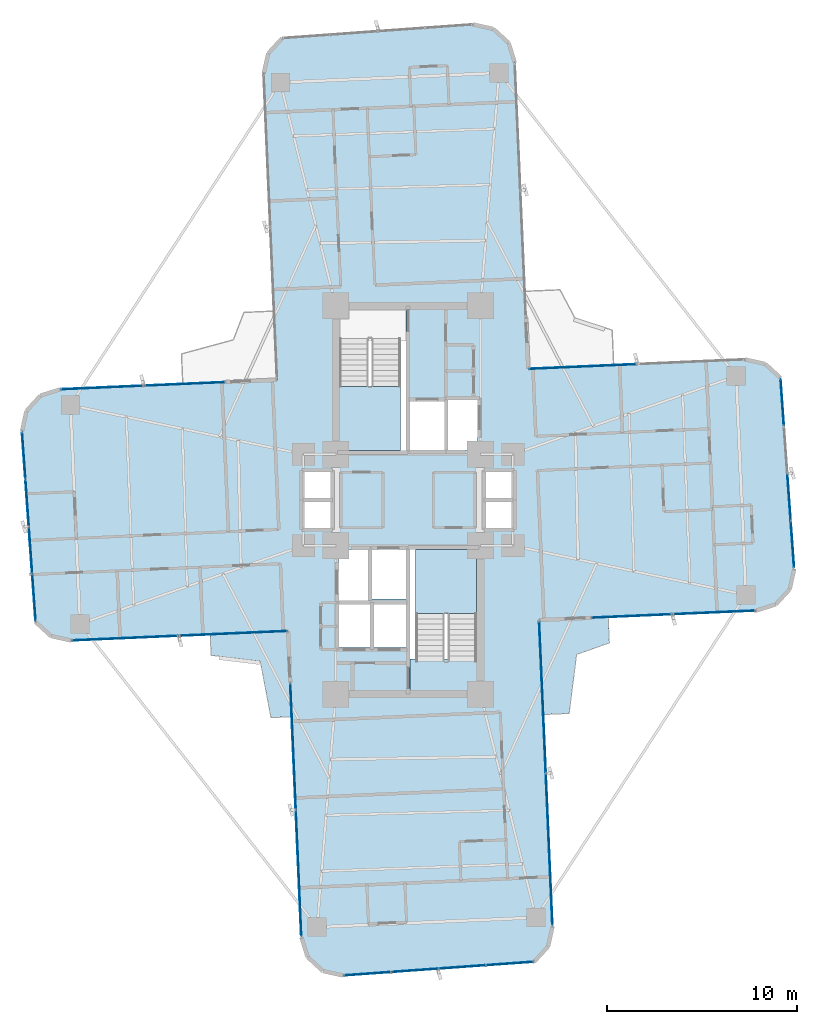
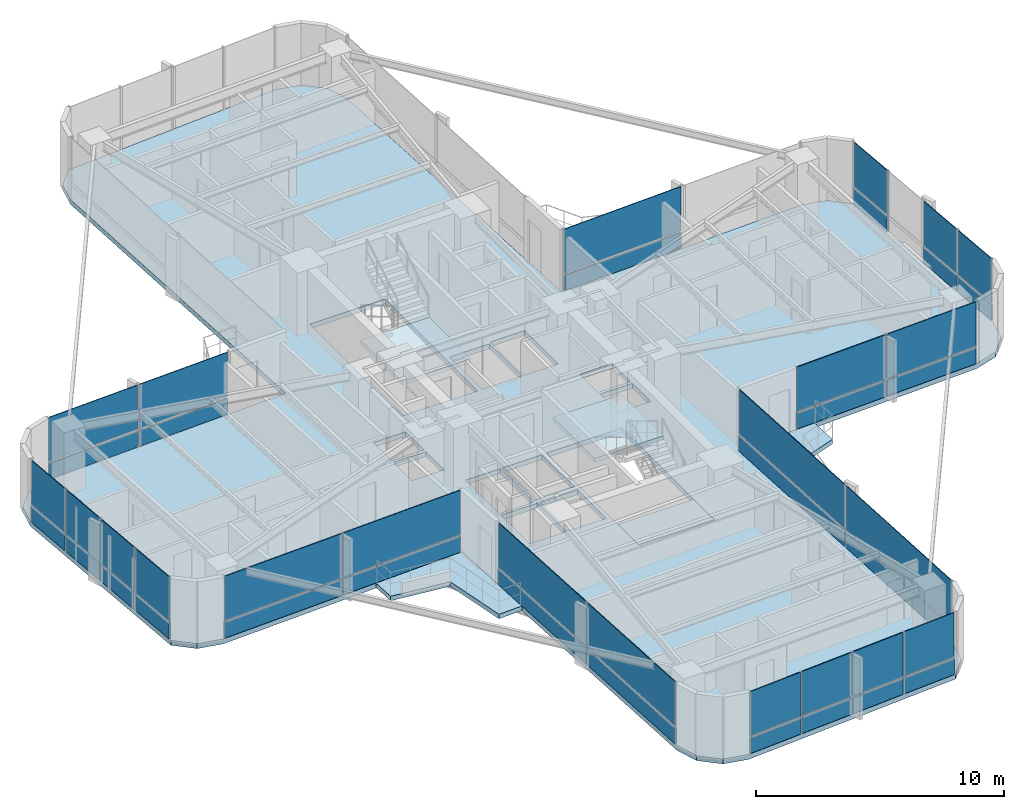
# One storey, part 21 of 27: 44 plates, 6 slabs, 11 elements without a shape of their own.
"""IFC4 building model written with IfcOpenShell, lengths in metres."""

from ifc_helpers import new_model, si_unit, direction, frame, origin, origin_2d, place, context, subcontext, project, spatial, polyline, rectangle, outline, extrude, source, transform, mapped, material, layer, layer_set, type_object, element, aggregate, save


model = new_model("IFC4")

# Units and contexts
model_context = context("Model", 3, precision=1e-05, world=origin(), true_north=direction((0.0, 1.0)))
body_context = subcontext(model_context, "Body", "Model", "MODEL_VIEW")
ifc_project = project(units=[si_unit("LENGTHUNIT", "METRE"), si_unit("AREAUNIT", "SQUARE_METRE"), si_unit("VOLUMEUNIT", "CUBIC_METRE"), si_unit("PLANEANGLEUNIT", "RADIAN"), si_unit("MASSUNIT", "GRAM", prefix="KILO")], contexts=[model_context])

# Site, building, storey
site_placement = place(None, origin())
site = spatial("IfcSite", under=ifc_project, at=site_placement, CompositionType="ELEMENT")
building_placement = place(site_placement, origin())
building = spatial("IfcBuilding", under=site, at=building_placement, Name="Sahyath Konkavel Grand Hotel", CompositionType="ELEMENT")
storey_placement = place(building_placement, frame((0.0, 0.0, 90.199951171875)))
storey = spatial("IfcBuildingStorey", under=building, at=storey_placement, Name="L24", CompositionType="ELEMENT", Elevation=90.199951171875)

# Slabs
ifc_material_1 = material(Name="Concrete C40/50", Category="concrete")
ifc_layer_1 = layer(ifc_material_1, 0.239990234375)
ifc_layer_set_1 = layer_set([ifc_layer_1], Name="Concrete C40/50")
slab_type_1 = type_object("IfcSlabType", Name="SLB-240", PredefinedType="FLOOR", material=ifc_layer_set_1)
slab_1_placement = place(storey_placement, frame((0.0, 0.0, -0.239990234375)))
element("IfcSlab", 1, at=slab_1_placement, inside=storey, type_object=slab_type_1, Name="L24 Structural Floor Slab", PredefinedType="FLOOR", context=body_context, shape_type="SweptSolid", body=[
    extrude(outline(polyline([(6.881591796875, -6.305908203125), (18.270751953125, -5.80859375), (19.3076171875, -5.481689453125), (20.0419921875, -4.68017578125), (20.277099609375, -3.618896484375), (19.5576171875, 6.4091796875), (18.75634765625, 7.1435546875), (17.695068359375, 7.37890625), (6.305908203125, 6.881591796875), (5.603515625, 22.96630859375), (5.276611328125, 24.0029296875), (4.47509765625, 24.7373046875), (3.4140625, 24.97265625), (-6.6142578125, 24.253173828125), (-7.3486328125, 23.451904296875), (-7.583984375, 22.390380859375), (-6.881591796875, 6.305908203125), (-18.270751953125, 5.80859375), (-19.3076171875, 5.481689453125), (-20.0419921875, 4.68017578125), (-20.277099609375, 3.618896484375), (-19.5576171875, -6.4091796875), (-18.75634765625, -7.1435546875), (-17.695068359375, -7.37890625), (-6.305908203125, -6.881591796875), (-5.603515625, -22.96630859375), (-5.276611328125, -24.0029296875), (-4.47509765625, -24.7373046875), (-3.4140625, -24.97265625), (6.6142578125, -24.253173828125), (7.3486328125, -23.451904296875), (7.583984375, -22.390380859375), (6.881591796875, -6.305908203125)]), holes=[polyline([(-3.6201171875, 2.580078125), (-0.10009765625, 2.580078125), (-0.10009765625, 10.02001953125), (-3.6201171875, 10.02001953125), (-3.6201171875, 2.580078125)]), polyline([(0.10009765625, -10.02001953125), (3.6201171875, -10.02001953125), (3.6201171875, -2.580078125), (0.10009765625, -2.580078125), (0.10009765625, -10.02001953125)]), polyline([(0.10009765625, 2.60009765625), (1.949951171875, 2.60009765625), (1.949951171875, 5.199951171875), (0.10009765625, 5.199951171875), (0.10009765625, 2.60009765625)]), polyline([(-1.949951171875, -5.199951171875), (-0.10009765625, -5.199951171875), (-0.10009765625, -2.60009765625), (-1.949951171875, -2.60009765625), (-1.949951171875, -5.199951171875)]), polyline([(2.050048828125, 2.60009765625), (3.64990234375, 2.60009765625), (3.64990234375, 5.300048828125), (2.050048828125, 5.300048828125), (2.050048828125, 2.60009765625)]), polyline([(-3.64990234375, -5.300048828125), (-2.050048828125, -5.300048828125), (-2.050048828125, -2.60009765625), (-3.64990234375, -2.60009765625), (-3.64990234375, -5.300048828125)]), polyline([(-3.64990234375, -7.75), (-1.949951171875, -7.75), (-1.949951171875, -5.449951171875), (-3.64990234375, -5.449951171875), (-3.64990234375, -7.75)]), polyline([(-1.85009765625, -7.75), (-0.10009765625, -7.75), (-0.10009765625, -5.449951171875), (-1.85009765625, -5.449951171875), (-1.85009765625, -7.75)]), polyline([(4.050048828125, 0.080078125), (5.550048828125, 0.080078125), (5.550048828125, 1.5400390625), (4.050048828125, 1.5400390625), (4.050048828125, 0.080078125)]), polyline([(4.050048828125, -1.5400390625), (5.550048828125, -1.5400390625), (5.550048828125, -0.080078125), (4.050048828125, -0.080078125), (4.050048828125, -1.5400390625)]), polyline([(-5.550048828125, 0.080078125), (-4.050048828125, 0.080078125), (-4.050048828125, 1.5400390625), (-5.550048828125, 1.5400390625), (-5.550048828125, 0.080078125)]), polyline([(-5.550048828125, -1.5400390625), (-4.050048828125, -1.5400390625), (-4.050048828125, -0.080078125), (-5.550048828125, -0.080078125), (-5.550048828125, -1.5400390625)])]), origin(), (0.0, 0.0, 1.0), 0.239990234375),
])
ifc_layer_2 = layer(ifc_material_1, 0.219970703125)
ifc_layer_set_2 = layer_set([ifc_layer_2], Name="Concrete C40/50")
slab_type_2 = type_object("IfcSlabType", Name="SLB-BALCONY-220", PredefinedType="FLOOR", material=ifc_layer_set_2)
slab_2_placement = place(storey_placement, frame((0.0, 0.0, -0.219970703125)))
element("IfcSlab", 2, at=slab_2_placement, inside=storey, type_object=slab_type_2, Name="L24 Winter-Garden Balcony SW", PredefinedType="FLOOR", context=body_context, shape_type="SweptSolid", body=[
    extrude(outline(polyline([(-6.305908203125, -6.881591796875), (-10.39599609375, -7.060302734375), (-10.34814453125, -8.156494140625), (-7.761962890625, -8.470703125), (-7.20556640625, -11.43115234375), (-6.109375, -11.38330078125), (-6.305908203125, -6.881591796875)])), origin(), (0.0, 0.0, 1.0), 0.219970703125),
])
slab_3_placement = place(storey_placement, frame((0.0, 0.0, -0.219970703125)))
element("IfcSlab", 3, at=slab_3_placement, inside=storey, type_object=slab_type_2, Name="L24 Winter-Garden Balcony SE", PredefinedType="FLOOR", context=body_context, shape_type="SweptSolid", body=[
    extrude(outline(polyline([(6.881591796875, -6.305908203125), (7.098388671875, -11.27001953125), (8.456298828125, -11.210693359375), (8.85009765625, -8.109619140625), (10.568359375, -7.505615234375), (10.50927734375, -6.1474609375), (6.881591796875, -6.305908203125)])), origin(), (0.0, 0.0, 1.0), 0.219970703125),
])

# Stair, slab
stair_type = type_object("IfcStairType", Name="STR-ST16-335", PredefinedType="HALF_TURN_STAIR", material=ifc_material_1)
stair_1_placement = place(storey_placement, origin())
stair_1 = element("IfcStair", 4, at=stair_1_placement, inside=storey, type_object=stair_type, Name="L24 North Core Smokeproof Exit Stair ST-1", PredefinedType="HALF_TURN_STAIR")
ifc_layer_3 = layer(ifc_material_1, 0.199951171875)
ifc_layer_set_3 = layer_set([ifc_layer_3], Name="Concrete C40/50")
slab_type_3 = type_object("IfcSlabType", Name="SLB-STAIR-LND", PredefinedType="LANDING", material=ifc_layer_set_3)
slab_4_placement = place(storey_placement, frame((0.0, 0.0, 1.47509765625)))
slab_4 = element("IfcSlab", 5, at=slab_4_placement, type_object=slab_type_3, Name="ST-1 landing 1", PredefinedType="LANDING", context=body_context, shape_type="SweptSolid", body=[
    extrude(outline(polyline([(-3.60009765625, 5.9599609375), (-3.60009765625, 2.60009765625), (-0.39990234375, 2.60009765625), (-0.39990234375, 5.9599609375), (-3.60009765625, 5.9599609375)])), origin(), (0.0, 0.0, 1.0), 0.199951171875),
])
aggregate(stair_1, [slab_4])

stair_2_placement = place(storey_placement, origin())
stair_2 = element("IfcStair", 6, at=stair_2_placement, inside=storey, type_object=stair_type, Name="L24 South Core Smokeproof Exit Stair ST-2", PredefinedType="HALF_TURN_STAIR")
slab_5_placement = place(storey_placement, frame((0.0, 0.0, 1.47509765625)))
slab_5 = element("IfcSlab", 7, at=slab_5_placement, type_object=slab_type_3, Name="ST-2 landing 1", PredefinedType="LANDING", context=body_context, shape_type="SweptSolid", body=[
    extrude(outline(polyline([(3.60009765625, -5.9599609375), (3.60009765625, -2.60009765625), (0.39990234375, -2.60009765625), (0.39990234375, -5.9599609375), (3.60009765625, -5.9599609375)])), origin(), (0.0, 0.0, 1.0), 0.199951171875),
])
aggregate(stair_2, [slab_5])

# Slab
slab_6_placement = place(storey_placement, frame((0.0, 0.0, -0.199951171875)))
element("IfcSlab", 8, at=slab_6_placement, inside=storey, type_object=slab_type_3, Name="L24 Stair ST-2 Floor Landing Slab", PredefinedType="LANDING", context=body_context, shape_type="SweptSolid", body=[
    extrude(outline(polyline([(0.10009765625, -10.02001953125), (3.6201171875, -10.02001953125), (3.6201171875, -8.35009765625), (0.10009765625, -8.35009765625), (0.10009765625, -10.02001953125)])), origin(), (0.0, 0.0, 1.0), 0.199951171875),
])

# Curtain wall, plates
ifc_material_2 = material(Name="Anodised Bronze Aluminium & Low-E Glazing", Category="aluminium")
curtain_wall_type = type_object("IfcCurtainWallType", Name="CW-ZONE2", PredefinedType="NOTDEFINED", material=ifc_material_2)
curtain_wall_1_placement = place(storey_placement, origin())
curtain_wall_1 = element("IfcCurtainWall", 9, at=curtain_wall_1_placement, inside=storey, type_object=curtain_wall_type, Name="L24 Unitised Curtain Wall F0", PredefinedType="NOTDEFINED")
ifc_material_3 = material(Name="Warm Buff Sandstone Cladding", Category="masonry")
ifc_layer_4 = layer(ifc_material_3, 0.074951171875)
ifc_layer_set_4 = layer_set([ifc_layer_4], Name="Warm Buff Sandstone Cladding")
plate_type_1 = type_object("IfcPlateType", Name="PNL-SPANDREL-STONE", PredefinedType="SHEET", material=ifc_layer_set_4)
shared_shape_1 = source(origin(), body_context, "Body", "SweptSolid", [
    extrude(rectangle(XDim=4.22998046875, YDim=0.074951171875, at=origin_2d()), origin(), (0.0, 0.0, 1.0), 0.77001953125),
])
plate_1_placement = place(storey_placement, frame((11.77197265625, -6.09228515625, 0.0400390625), z_axis=(0.0, 0.0, 1.0), x_axis=(0.999048982732, 0.043601950678, 0.0)))
plate_1 = element("IfcPlate", 10, at=plate_1_placement, type_object=plate_type_1, Name="L24 Sandstone Relief Spandrel Panel F0-0", PredefinedType="SHEET", context=body_context, shape_type="MappedRepresentation", body=[
    mapped(shared_shape_1, transform((0.0, 0.0, 0.0), scale=1.0)),
])
plate_2_placement = place(storey_placement, frame((16.077880859375, -5.904296875, 0.0400390625), z_axis=(0.0, 0.0, 1.0), x_axis=(0.999048982732, 0.043601950678, 0.0)))
plate_2 = element("IfcPlate", 11, at=plate_2_placement, type_object=plate_type_1, Name="L24 Sandstone Relief Spandrel Panel F0-1", PredefinedType="SHEET", context=body_context, shape_type="MappedRepresentation", body=[
    mapped(shared_shape_1, transform((0.0, 0.0, 0.0), scale=1.0)),
])

curtain_wall_2_placement = place(storey_placement, origin())
curtain_wall_2 = element("IfcCurtainWall", 12, at=curtain_wall_2_placement, inside=storey, type_object=curtain_wall_type, Name="L24 Unitised Curtain Wall F16", PredefinedType="NOTDEFINED")
plate_3_placement = place(storey_placement, frame((-11.77197265625, 6.09228515625, 0.0400390625), z_axis=(0.0, 0.0, 1.0), x_axis=(-0.999048982732, -0.043601950678, 0.0)))
plate_3 = element("IfcPlate", 13, at=plate_3_placement, type_object=plate_type_1, Name="L24 Sandstone Relief Spandrel Panel F16-0", PredefinedType="SHEET", context=body_context, shape_type="MappedRepresentation", body=[
    mapped(shared_shape_1, transform((0.0, 0.0, 0.0), scale=1.0)),
])
plate_4_placement = place(storey_placement, frame((-16.077880859375, 5.904296875, 0.0400390625), z_axis=(0.0, 0.0, 1.0), x_axis=(-0.999048982732, -0.043601950678, 0.0)))
plate_4 = element("IfcPlate", 14, at=plate_4_placement, type_object=plate_type_1, Name="L24 Sandstone Relief Spandrel Panel F16-1", PredefinedType="SHEET", context=body_context, shape_type="MappedRepresentation", body=[
    mapped(shared_shape_1, transform((0.0, 0.0, 0.0), scale=1.0)),
])

curtain_wall_3_placement = place(storey_placement, origin())
curtain_wall_3 = element("IfcCurtainWall", 15, at=curtain_wall_3_placement, inside=storey, type_object=curtain_wall_type, Name="L24 Unitised Curtain Wall F4", PredefinedType="NOTDEFINED")
shared_shape_2 = source(origin(), body_context, "Body", "SweptSolid", [
    extrude(rectangle(XDim=2.41357421875, YDim=0.074951171875, at=origin_2d()), origin(), (0.0, 0.0, 1.0), 0.77001953125),
])
plate_5_placement = place(storey_placement, frame((20.18505859375, -2.335693359375, 0.0400390625), z_axis=(0.0, 0.0, 1.0), x_axis=(-0.071567078661, 0.997435789037, 0.0)))
plate_5 = element("IfcPlate", 16, at=plate_5_placement, type_object=plate_type_1, Name="L24 Sandstone Relief Spandrel Panel F4-0", PredefinedType="SHEET", context=body_context, shape_type="MappedRepresentation", body=[
    mapped(shared_shape_2, transform((0.0, 0.0, 0.0), scale=1.0)),
])
plate_6_placement = place(storey_placement, frame((20.006591796875, 0.151611328125, 0.0400390625), z_axis=(0.0, 0.0, 1.0), x_axis=(-0.071567078661, 0.997435789037, 0.0)))
plate_6 = element("IfcPlate", 17, at=plate_6_placement, type_object=plate_type_1, Name="L24 Sandstone Relief Spandrel Panel F4-1", PredefinedType="SHEET", context=body_context, shape_type="MappedRepresentation", body=[
    mapped(shared_shape_2, transform((0.0, 0.0, 0.0), scale=1.0)),
])
plate_7_placement = place(storey_placement, frame((19.64990234375, 5.125732421875, 0.0400390625), z_axis=(0.0, 0.0, 1.0), x_axis=(-0.071567078661, 0.997435789037, 0.0)))
plate_7 = element("IfcPlate", 18, at=plate_7_placement, type_object=plate_type_1, Name="L24 Sandstone Relief Spandrel Panel F4-3", PredefinedType="SHEET", context=body_context, shape_type="MappedRepresentation", body=[
    mapped(shared_shape_2, transform((0.0, 0.0, 0.0), scale=1.0)),
])

curtain_wall_4_placement = place(storey_placement, origin())
curtain_wall_4 = element("IfcCurtainWall", 19, at=curtain_wall_4_placement, inside=storey, type_object=curtain_wall_type, Name="L24 Unitised Curtain Wall F20", PredefinedType="NOTDEFINED")
plate_8_placement = place(storey_placement, frame((-20.18505859375, 2.335693359375, 0.0400390625), z_axis=(0.0, 0.0, 1.0), x_axis=(0.071567078661, -0.997435789037, 0.0)))
plate_8 = element("IfcPlate", 20, at=plate_8_placement, type_object=plate_type_1, Name="L24 Sandstone Relief Spandrel Panel F20-0", PredefinedType="SHEET", context=body_context, shape_type="MappedRepresentation", body=[
    mapped(shared_shape_2, transform((0.0, 0.0, 0.0), scale=1.0)),
])
plate_9_placement = place(storey_placement, frame((-20.006591796875, -0.151611328125, 0.0400390625), z_axis=(0.0, 0.0, 1.0), x_axis=(0.071567078661, -0.997435789037, 0.0)))
plate_9 = element("IfcPlate", 21, at=plate_9_placement, type_object=plate_type_1, Name="L24 Sandstone Relief Spandrel Panel F20-1", PredefinedType="SHEET", context=body_context, shape_type="MappedRepresentation", body=[
    mapped(shared_shape_2, transform((0.0, 0.0, 0.0), scale=1.0)),
])
plate_10_placement = place(storey_placement, frame((-19.828369140625, -2.638671875, 0.0400390625), z_axis=(0.0, 0.0, 1.0), x_axis=(0.071567078661, -0.997435789037, 0.0)))
plate_10 = element("IfcPlate", 22, at=plate_10_placement, type_object=plate_type_1, Name="L24 Sandstone Relief Spandrel Panel F20-2", PredefinedType="SHEET", context=body_context, shape_type="MappedRepresentation", body=[
    mapped(shared_shape_2, transform((0.0, 0.0, 0.0), scale=1.0)),
])
plate_11_placement = place(storey_placement, frame((-19.64990234375, -5.125732421875, 0.0400390625), z_axis=(0.0, 0.0, 1.0), x_axis=(0.071567078661, -0.997435789037, 0.0)))
plate_11 = element("IfcPlate", 23, at=plate_11_placement, type_object=plate_type_1, Name="L24 Sandstone Relief Spandrel Panel F20-3", PredefinedType="SHEET", context=body_context, shape_type="MappedRepresentation", body=[
    mapped(shared_shape_2, transform((0.0, 0.0, 0.0), scale=1.0)),
])

curtain_wall_5_placement = place(storey_placement, origin())
curtain_wall_5 = element("IfcCurtainWall", 24, at=curtain_wall_5_placement, inside=storey, type_object=curtain_wall_type, Name="L24 Unitised Curtain Wall F28", PredefinedType="NOTDEFINED")
plate_12_placement = place(storey_placement, frame((-2.130615234375, -24.880615234375, 0.0400390625), z_axis=(0.0, 0.0, 1.0), x_axis=(0.997435789037, 0.071567078661, 0.0)))
plate_12 = element("IfcPlate", 25, at=plate_12_placement, type_object=plate_type_1, Name="L24 Sandstone Relief Spandrel Panel F28-0", PredefinedType="SHEET", context=body_context, shape_type="MappedRepresentation", body=[
    mapped(shared_shape_2, transform((0.0, 0.0, 0.0), scale=1.0)),
])
plate_13_placement = place(storey_placement, frame((0.356689453125, -24.7021484375, 0.0400390625), z_axis=(0.0, 0.0, 1.0), x_axis=(0.997435789037, 0.071567078661, 0.0)))
plate_13 = element("IfcPlate", 26, at=plate_13_placement, type_object=plate_type_1, Name="L24 Sandstone Relief Spandrel Panel F28-1", PredefinedType="SHEET", context=body_context, shape_type="MappedRepresentation", body=[
    mapped(shared_shape_2, transform((0.0, 0.0, 0.0), scale=1.0)),
])
plate_14_placement = place(storey_placement, frame((2.84375, -24.523681640625, 0.0400390625), z_axis=(0.0, 0.0, 1.0), x_axis=(0.997435789037, 0.071567078661, 0.0)))
plate_14 = element("IfcPlate", 27, at=plate_14_placement, type_object=plate_type_1, Name="L24 Sandstone Relief Spandrel Panel F28-2", PredefinedType="SHEET", context=body_context, shape_type="MappedRepresentation", body=[
    mapped(shared_shape_2, transform((0.0, 0.0, 0.0), scale=1.0)),
])
plate_15_placement = place(storey_placement, frame((5.330810546875, -24.34521484375, 0.0400390625), z_axis=(0.0, 0.0, 1.0), x_axis=(0.997435789037, 0.071567078661, 0.0)))
plate_15 = element("IfcPlate", 28, at=plate_15_placement, type_object=plate_type_1, Name="L24 Sandstone Relief Spandrel Panel F28-3", PredefinedType="SHEET", context=body_context, shape_type="MappedRepresentation", body=[
    mapped(shared_shape_2, transform((0.0, 0.0, 0.0), scale=1.0)),
])

# Curtain wall, plate
curtain_wall_6_placement = place(storey_placement, origin())
curtain_wall_6 = element("IfcCurtainWall", 29, at=curtain_wall_6_placement, inside=storey, type_object=curtain_wall_type, Name="L24 Unitised Curtain Wall F7", PredefinedType="NOTDEFINED")
shared_shape_3 = source(origin(), body_context, "Body", "SweptSolid", [
    extrude(rectangle(XDim=5.580078125, YDim=0.074951171875, at=origin_2d()), origin(), (0.0, 0.0, 1.0), 0.77001953125),
])
plate_16_placement = place(storey_placement, frame((9.173095703125, 7.0068359375, 0.0400390625), z_axis=(0.0, 0.0, 1.0), x_axis=(-0.999048221582, -0.043619387365, 0.0)))
plate_16 = element("IfcPlate", 30, at=plate_16_placement, type_object=plate_type_1, Name="L24 Sandstone Relief Spandrel Panel F7-1", PredefinedType="SHEET", context=body_context, shape_type="MappedRepresentation", body=[
    mapped(shared_shape_3, transform((0.0, 0.0, 0.0), scale=1.0)),
])

# Curtain wall, plates
curtain_wall_7_placement = place(storey_placement, origin())
curtain_wall_7 = element("IfcCurtainWall", 31, at=curtain_wall_7_placement, inside=storey, type_object=curtain_wall_type, Name="L24 Unitised Curtain Wall F23", PredefinedType="NOTDEFINED")
plate_17_placement = place(storey_placement, frame((-14.82763671875, -7.25390625, 0.0400390625), z_axis=(0.0, 0.0, 1.0), x_axis=(0.999048221582, 0.043619387365, 0.0)))
plate_17 = element("IfcPlate", 32, at=plate_17_placement, type_object=plate_type_1, Name="L24 Sandstone Relief Spandrel Panel F23-0", PredefinedType="SHEET", context=body_context, shape_type="MappedRepresentation", body=[
    mapped(shared_shape_3, transform((0.0, 0.0, 0.0), scale=1.0)),
])
plate_18_placement = place(storey_placement, frame((-9.173095703125, -7.0068359375, 0.0400390625), z_axis=(0.0, 0.0, 1.0), x_axis=(0.999048221582, 0.043619387365, 0.0)))
plate_18 = element("IfcPlate", 33, at=plate_18_placement, type_object=plate_type_1, Name="L24 Sandstone Relief Spandrel Panel F23-1", PredefinedType="SHEET", context=body_context, shape_type="MappedRepresentation", body=[
    mapped(shared_shape_3, transform((0.0, 0.0, 0.0), scale=1.0)),
])

curtain_wall_8_placement = place(storey_placement, origin())
curtain_wall_8 = element("IfcCurtainWall", 34, at=curtain_wall_8_placement, inside=storey, type_object=curtain_wall_type, Name="L24 Unitised Curtain Wall F24", PredefinedType="NOTDEFINED")
shared_shape_4 = source(origin(), body_context, "Body", "SweptSolid", [
    extrude(rectangle(XDim=6.580078125, YDim=0.074951171875, at=origin_2d()), origin(), (0.0, 0.0, 1.0), 0.77001953125),
])
plate_19_placement = place(storey_placement, frame((-6.041015625, -12.94580078125, 0.0400390625), z_axis=(0.0, 0.0, 1.0), x_axis=(0.043619387365, -0.999048221582, 0.0)))
plate_19 = element("IfcPlate", 35, at=plate_19_placement, type_object=plate_type_1, Name="L24 Sandstone Relief Spandrel Panel F24-0", PredefinedType="SHEET", context=body_context, shape_type="MappedRepresentation", body=[
    mapped(shared_shape_4, transform((0.0, 0.0, 0.0), scale=1.0)),
])
plate_20_placement = place(storey_placement, frame((-5.75048828125, -19.599609375, 0.0400390625), z_axis=(0.0, 0.0, 1.0), x_axis=(0.043619387365, -0.999048221582, 0.0)))
plate_20 = element("IfcPlate", 36, at=plate_20_placement, type_object=plate_type_1, Name="L24 Sandstone Relief Spandrel Panel F24-1", PredefinedType="SHEET", context=body_context, shape_type="MappedRepresentation", body=[
    mapped(shared_shape_4, transform((0.0, 0.0, 0.0), scale=1.0)),
])

curtain_wall_9_placement = place(storey_placement, origin())
curtain_wall_9 = element("IfcCurtainWall", 37, at=curtain_wall_9_placement, inside=storey, type_object=curtain_wall_type, Name="L24 Unitised Curtain Wall F31", PredefinedType="NOTDEFINED")
shared_shape_5 = source(origin(), body_context, "Body", "SweptSolid", [
    extrude(rectangle(XDim=7.929931640625, YDim=0.074951171875, at=origin_2d()), origin(), (0.0, 0.0, 1.0), 0.77001953125),
])
plate_21_placement = place(storey_placement, frame((7.407470703125, -18.349365234375, 0.0400390625), z_axis=(0.0, 0.0, 1.0), x_axis=(-0.043619387365, 0.999048221582, 0.0)))
plate_21 = element("IfcPlate", 38, at=plate_21_placement, type_object=plate_type_1, Name="L24 Sandstone Relief Spandrel Panel F31-0", PredefinedType="SHEET", context=body_context, shape_type="MappedRepresentation", body=[
    mapped(shared_shape_5, transform((0.0, 0.0, 0.0), scale=1.0)),
])
plate_22_placement = place(storey_placement, frame((7.05810546875, -10.346923828125, 0.0400390625), z_axis=(0.0, 0.0, 1.0), x_axis=(-0.043619387365, 0.999048221582, 0.0)))
plate_22 = element("IfcPlate", 39, at=plate_22_placement, type_object=plate_type_1, Name="L24 Sandstone Relief Spandrel Panel F31-1", PredefinedType="SHEET", context=body_context, shape_type="MappedRepresentation", body=[
    mapped(shared_shape_5, transform((0.0, 0.0, 0.0), scale=1.0)),
])

# Plate
ifc_material_4 = material(Name="Low-E Solar Control Double Glazing", Category="glass")
ifc_layer_5 = layer(ifc_material_4, 0.035888671875)
ifc_layer_set_5 = layer_set([ifc_layer_5], Name="Low-E Solar Control Double Glazing")
plate_type_2 = type_object("IfcPlateType", Name="PNL-VISION-LOWE", PredefinedType="CURTAIN_PANEL", material=ifc_layer_set_5)
shared_shape_6 = source(origin(), body_context, "Body", "SweptSolid", [
    extrude(rectangle(XDim=4.22998046875, YDim=0.035888671875, at=origin_2d()), origin(), (0.0, 0.0, 1.0), 2.179931640625),
])
plate_23_placement = place(storey_placement, frame((11.77197265625, -6.09228515625, 0.89013671875), z_axis=(0.0, 0.0, 1.0), x_axis=(0.999048982732, 0.043601950678, 0.0)))
plate_23 = element("IfcPlate", 40, at=plate_23_placement, type_object=plate_type_2, Name="L24 Low-E Vision Glazing Panel F0-0", PredefinedType="CURTAIN_PANEL", context=body_context, shape_type="MappedRepresentation", body=[
    mapped(shared_shape_6, transform((0.0, 0.0, 0.0), scale=1.0)),
])

plate_24_placement = place(storey_placement, frame((16.077880859375, -5.904296875, 0.89013671875), z_axis=(0.0, 0.0, 1.0), x_axis=(0.999048982732, 0.043601950678, 0.0)))
plate_24 = element("IfcPlate", 41, at=plate_24_placement, type_object=plate_type_2, Name="L24 Low-E Vision Glazing Panel F0-1", PredefinedType="CURTAIN_PANEL", context=body_context, shape_type="MappedRepresentation", body=[
    mapped(shared_shape_6, transform((0.0, 0.0, 0.0), scale=1.0)),
])

aggregate(curtain_wall_1, [plate_1, plate_23, plate_2, plate_24])

plate_25_placement = place(storey_placement, frame((-11.77197265625, 6.09228515625, 0.89013671875), z_axis=(0.0, 0.0, 1.0), x_axis=(-0.999048982732, -0.043601950678, 0.0)))
plate_25 = element("IfcPlate", 42, at=plate_25_placement, type_object=plate_type_2, Name="L24 Low-E Vision Glazing Panel F16-0", PredefinedType="CURTAIN_PANEL", context=body_context, shape_type="MappedRepresentation", body=[
    mapped(shared_shape_6, transform((0.0, 0.0, 0.0), scale=1.0)),
])

plate_26_placement = place(storey_placement, frame((-16.077880859375, 5.904296875, 0.89013671875), z_axis=(0.0, 0.0, 1.0), x_axis=(-0.999048982732, -0.043601950678, 0.0)))
plate_26 = element("IfcPlate", 43, at=plate_26_placement, type_object=plate_type_2, Name="L24 Low-E Vision Glazing Panel F16-1", PredefinedType="CURTAIN_PANEL", context=body_context, shape_type="MappedRepresentation", body=[
    mapped(shared_shape_6, transform((0.0, 0.0, 0.0), scale=1.0)),
])

aggregate(curtain_wall_2, [plate_3, plate_25, plate_4, plate_26])

shared_shape_7 = source(origin(), body_context, "Body", "SweptSolid", [
    extrude(rectangle(XDim=2.41357421875, YDim=0.035888671875, at=origin_2d()), origin(), (0.0, 0.0, 1.0), 2.179931640625),
])
plate_27_placement = place(storey_placement, frame((20.18505859375, -2.335693359375, 0.89013671875), z_axis=(0.0, 0.0, 1.0), x_axis=(-0.071567078661, 0.997435789037, 0.0)))
plate_27 = element("IfcPlate", 44, at=plate_27_placement, type_object=plate_type_2, Name="L24 Low-E Vision Glazing Panel F4-0", PredefinedType="CURTAIN_PANEL", context=body_context, shape_type="MappedRepresentation", body=[
    mapped(shared_shape_7, transform((0.0, 0.0, 0.0), scale=1.0)),
])

plate_28_placement = place(storey_placement, frame((20.006591796875, 0.151611328125, 0.89013671875), z_axis=(0.0, 0.0, 1.0), x_axis=(-0.071567078661, 0.997435789037, 0.0)))
plate_28 = element("IfcPlate", 45, at=plate_28_placement, type_object=plate_type_2, Name="L24 Low-E Vision Glazing Panel F4-1", PredefinedType="CURTAIN_PANEL", context=body_context, shape_type="MappedRepresentation", body=[
    mapped(shared_shape_7, transform((0.0, 0.0, 0.0), scale=1.0)),
])

plate_29_placement = place(storey_placement, frame((19.64990234375, 5.125732421875, 0.89013671875), z_axis=(0.0, 0.0, 1.0), x_axis=(-0.071567078661, 0.997435789037, 0.0)))
plate_29 = element("IfcPlate", 46, at=plate_29_placement, type_object=plate_type_2, Name="L24 Low-E Vision Glazing Panel F4-3", PredefinedType="CURTAIN_PANEL", context=body_context, shape_type="MappedRepresentation", body=[
    mapped(shared_shape_7, transform((0.0, 0.0, 0.0), scale=1.0)),
])

aggregate(curtain_wall_3, [plate_5, plate_27, plate_6, plate_28, plate_7, plate_29])

plate_30_placement = place(storey_placement, frame((-20.18505859375, 2.335693359375, 0.89013671875), z_axis=(0.0, 0.0, 1.0), x_axis=(0.071567078661, -0.997435789037, 0.0)))
plate_30 = element("IfcPlate", 47, at=plate_30_placement, type_object=plate_type_2, Name="L24 Low-E Vision Glazing Panel F20-0", PredefinedType="CURTAIN_PANEL", context=body_context, shape_type="MappedRepresentation", body=[
    mapped(shared_shape_7, transform((0.0, 0.0, 0.0), scale=1.0)),
])

plate_31_placement = place(storey_placement, frame((-20.006591796875, -0.151611328125, 0.89013671875), z_axis=(0.0, 0.0, 1.0), x_axis=(0.071567078661, -0.997435789037, 0.0)))
plate_31 = element("IfcPlate", 48, at=plate_31_placement, type_object=plate_type_2, Name="L24 Low-E Vision Glazing Panel F20-1", PredefinedType="CURTAIN_PANEL", context=body_context, shape_type="MappedRepresentation", body=[
    mapped(shared_shape_7, transform((0.0, 0.0, 0.0), scale=1.0)),
])

plate_32_placement = place(storey_placement, frame((-19.828369140625, -2.638671875, 0.89013671875), z_axis=(0.0, 0.0, 1.0), x_axis=(0.071567078661, -0.997435789037, 0.0)))
plate_32 = element("IfcPlate", 49, at=plate_32_placement, type_object=plate_type_2, Name="L24 Low-E Vision Glazing Panel F20-2", PredefinedType="CURTAIN_PANEL", context=body_context, shape_type="MappedRepresentation", body=[
    mapped(shared_shape_7, transform((0.0, 0.0, 0.0), scale=1.0)),
])

plate_33_placement = place(storey_placement, frame((-19.64990234375, -5.125732421875, 0.89013671875), z_axis=(0.0, 0.0, 1.0), x_axis=(0.071567078661, -0.997435789037, 0.0)))
plate_33 = element("IfcPlate", 50, at=plate_33_placement, type_object=plate_type_2, Name="L24 Low-E Vision Glazing Panel F20-3", PredefinedType="CURTAIN_PANEL", context=body_context, shape_type="MappedRepresentation", body=[
    mapped(shared_shape_7, transform((0.0, 0.0, 0.0), scale=1.0)),
])

aggregate(curtain_wall_4, [plate_8, plate_30, plate_9, plate_31, plate_10, plate_32, plate_11, plate_33])

plate_34_placement = place(storey_placement, frame((-2.130615234375, -24.880615234375, 0.89013671875), z_axis=(0.0, 0.0, 1.0), x_axis=(0.997435789037, 0.071567078661, 0.0)))
plate_34 = element("IfcPlate", 51, at=plate_34_placement, type_object=plate_type_2, Name="L24 Low-E Vision Glazing Panel F28-0", PredefinedType="CURTAIN_PANEL", context=body_context, shape_type="MappedRepresentation", body=[
    mapped(shared_shape_7, transform((0.0, 0.0, 0.0), scale=1.0)),
])

plate_35_placement = place(storey_placement, frame((0.356689453125, -24.7021484375, 0.89013671875), z_axis=(0.0, 0.0, 1.0), x_axis=(0.997435789037, 0.071567078661, 0.0)))
plate_35 = element("IfcPlate", 52, at=plate_35_placement, type_object=plate_type_2, Name="L24 Low-E Vision Glazing Panel F28-1", PredefinedType="CURTAIN_PANEL", context=body_context, shape_type="MappedRepresentation", body=[
    mapped(shared_shape_7, transform((0.0, 0.0, 0.0), scale=1.0)),
])

plate_36_placement = place(storey_placement, frame((2.84375, -24.523681640625, 0.89013671875), z_axis=(0.0, 0.0, 1.0), x_axis=(0.997435789037, 0.071567078661, 0.0)))
plate_36 = element("IfcPlate", 53, at=plate_36_placement, type_object=plate_type_2, Name="L24 Low-E Vision Glazing Panel F28-2", PredefinedType="CURTAIN_PANEL", context=body_context, shape_type="MappedRepresentation", body=[
    mapped(shared_shape_7, transform((0.0, 0.0, 0.0), scale=1.0)),
])

plate_37_placement = place(storey_placement, frame((5.330810546875, -24.34521484375, 0.89013671875), z_axis=(0.0, 0.0, 1.0), x_axis=(0.997435789037, 0.071567078661, 0.0)))
plate_37 = element("IfcPlate", 54, at=plate_37_placement, type_object=plate_type_2, Name="L24 Low-E Vision Glazing Panel F28-3", PredefinedType="CURTAIN_PANEL", context=body_context, shape_type="MappedRepresentation", body=[
    mapped(shared_shape_7, transform((0.0, 0.0, 0.0), scale=1.0)),
])

aggregate(curtain_wall_5, [plate_12, plate_34, plate_13, plate_35, plate_14, plate_36, plate_15, plate_37])

shared_shape_8 = source(origin(), body_context, "Body", "SweptSolid", [
    extrude(rectangle(XDim=5.580078125, YDim=0.035888671875, at=origin_2d()), origin(), (0.0, 0.0, 1.0), 2.179931640625),
])
plate_38_placement = place(storey_placement, frame((9.173095703125, 7.0068359375, 0.89013671875), z_axis=(0.0, 0.0, 1.0), x_axis=(-0.999048221582, -0.043619387365, 0.0)))
plate_38 = element("IfcPlate", 55, at=plate_38_placement, type_object=plate_type_2, Name="L24 Low-E Vision Glazing Panel F7-1", PredefinedType="CURTAIN_PANEL", context=body_context, shape_type="MappedRepresentation", body=[
    mapped(shared_shape_8, transform((0.0, 0.0, 0.0), scale=1.0)),
])

aggregate(curtain_wall_6, [plate_16, plate_38])

plate_39_placement = place(storey_placement, frame((-14.82763671875, -7.25390625, 0.89013671875), z_axis=(0.0, 0.0, 1.0), x_axis=(0.999048221582, 0.043619387365, 0.0)))
plate_39 = element("IfcPlate", 56, at=plate_39_placement, type_object=plate_type_2, Name="L24 Low-E Vision Glazing Panel F23-0", PredefinedType="CURTAIN_PANEL", context=body_context, shape_type="MappedRepresentation", body=[
    mapped(shared_shape_8, transform((0.0, 0.0, 0.0), scale=1.0)),
])

plate_40_placement = place(storey_placement, frame((-9.173095703125, -7.0068359375, 0.89013671875), z_axis=(0.0, 0.0, 1.0), x_axis=(0.999048221582, 0.043619387365, 0.0)))
plate_40 = element("IfcPlate", 57, at=plate_40_placement, type_object=plate_type_2, Name="L24 Low-E Vision Glazing Panel F23-1", PredefinedType="CURTAIN_PANEL", context=body_context, shape_type="MappedRepresentation", body=[
    mapped(shared_shape_8, transform((0.0, 0.0, 0.0), scale=1.0)),
])

aggregate(curtain_wall_7, [plate_17, plate_39, plate_18, plate_40])

shared_shape_9 = source(origin(), body_context, "Body", "SweptSolid", [
    extrude(rectangle(XDim=6.580078125, YDim=0.035888671875, at=origin_2d()), origin(), (0.0, 0.0, 1.0), 2.179931640625),
])
plate_41_placement = place(storey_placement, frame((-6.041015625, -12.94580078125, 0.89013671875), z_axis=(0.0, 0.0, 1.0), x_axis=(0.043619387365, -0.999048221582, 0.0)))
plate_41 = element("IfcPlate", 58, at=plate_41_placement, type_object=plate_type_2, Name="L24 Low-E Vision Glazing Panel F24-0", PredefinedType="CURTAIN_PANEL", context=body_context, shape_type="MappedRepresentation", body=[
    mapped(shared_shape_9, transform((0.0, 0.0, 0.0), scale=1.0)),
])

plate_42_placement = place(storey_placement, frame((-5.75048828125, -19.599609375, 0.89013671875), z_axis=(0.0, 0.0, 1.0), x_axis=(0.043619387365, -0.999048221582, 0.0)))
plate_42 = element("IfcPlate", 59, at=plate_42_placement, type_object=plate_type_2, Name="L24 Low-E Vision Glazing Panel F24-1", PredefinedType="CURTAIN_PANEL", context=body_context, shape_type="MappedRepresentation", body=[
    mapped(shared_shape_9, transform((0.0, 0.0, 0.0), scale=1.0)),
])

aggregate(curtain_wall_8, [plate_19, plate_41, plate_20, plate_42])

shared_shape_10 = source(origin(), body_context, "Body", "SweptSolid", [
    extrude(rectangle(XDim=7.929931640625, YDim=0.035888671875, at=origin_2d()), origin(), (0.0, 0.0, 1.0), 2.179931640625),
])
plate_43_placement = place(storey_placement, frame((7.407470703125, -18.349365234375, 0.89013671875), z_axis=(0.0, 0.0, 1.0), x_axis=(-0.043619387365, 0.999048221582, 0.0)))
plate_43 = element("IfcPlate", 60, at=plate_43_placement, type_object=plate_type_2, Name="L24 Low-E Vision Glazing Panel F31-0", PredefinedType="CURTAIN_PANEL", context=body_context, shape_type="MappedRepresentation", body=[
    mapped(shared_shape_10, transform((0.0, 0.0, 0.0), scale=1.0)),
])

plate_44_placement = place(storey_placement, frame((7.05810546875, -10.346923828125, 0.89013671875), z_axis=(0.0, 0.0, 1.0), x_axis=(-0.043619387365, 0.999048221582, 0.0)))
plate_44 = element("IfcPlate", 61, at=plate_44_placement, type_object=plate_type_2, Name="L24 Low-E Vision Glazing Panel F31-1", PredefinedType="CURTAIN_PANEL", context=body_context, shape_type="MappedRepresentation", body=[
    mapped(shared_shape_10, transform((0.0, 0.0, 0.0), scale=1.0)),
])

aggregate(curtain_wall_9, [plate_21, plate_43, plate_22, plate_44])

save(model, "model.ifc")
